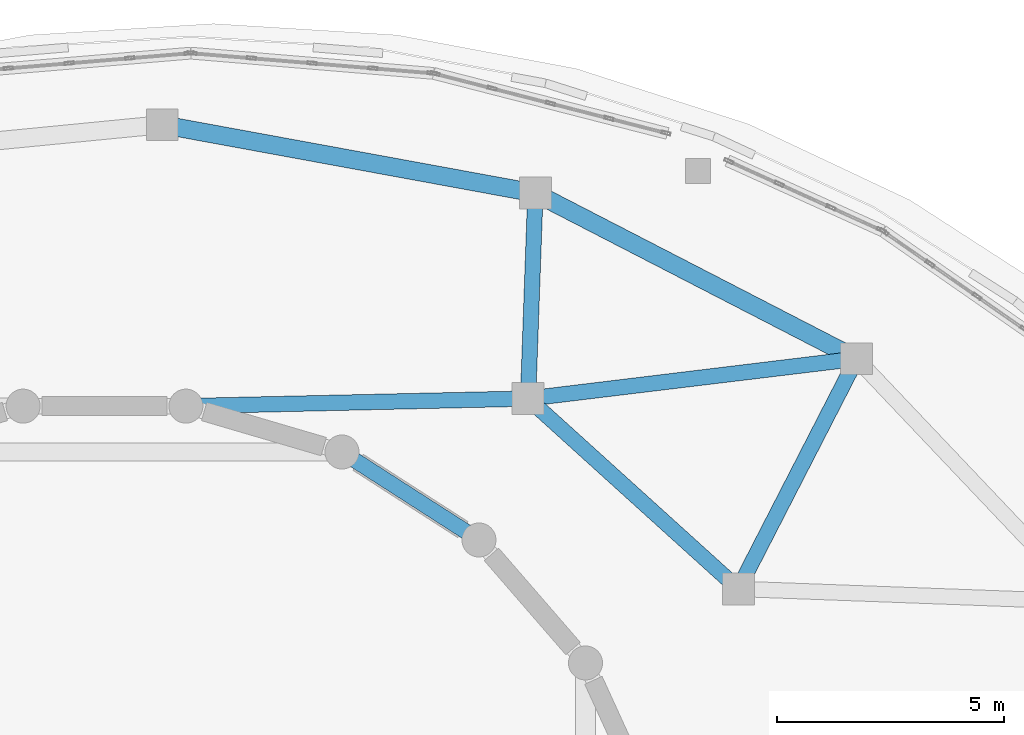
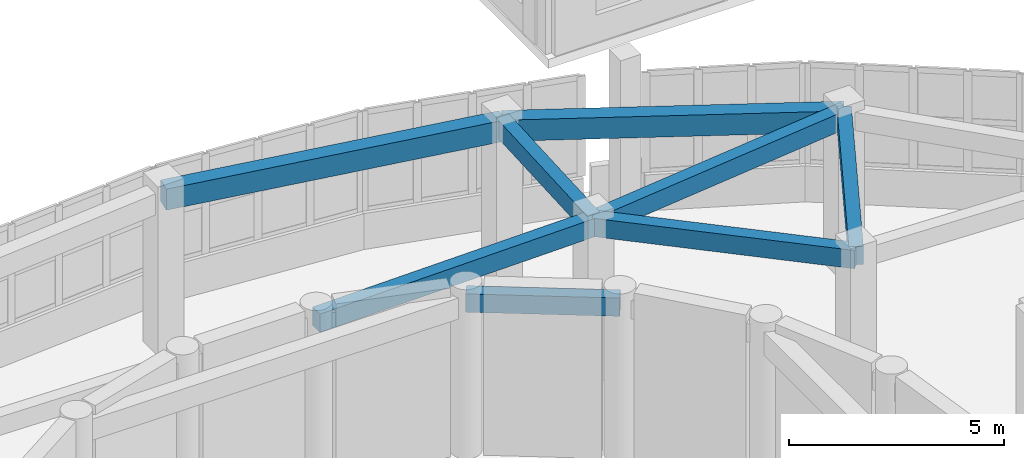
# One storey, part 45 of 98: 8 beams.
"""IFC4 building model written with IfcOpenShell, lengths in metres."""

import ifcopenshell
import ifcopenshell.guid

model = None  # the IFC model being written
_history = None  # IfcOwnerHistory: only IFC2X3 demands one
_inside = {}  # id of a spatial element -> (the spatial element, [elements in it])
_under = {}  # id of a project, library or spatial element -> (it, [spatial elements below it])
_declared = {}  # id of a project -> (the project, [libraries it declares])
_typed = {}  # id of a type object -> (the type object, [elements of that type])
_made_of = {}  # id of a material, layer set ... -> (it, [elements and type objects made of it])


def new_model(schema):
    """Start an empty IFC model of exactly this schema.

    Asked for "IFC4X3", IfcOpenShell would pick the latest addendum, in which some entities
    have other attributes; the version numbers below select the first issue.
    IFC2X3 requires an IfcOwnerHistory on every rooted entity: one is made here for all.
    """
    global model, _history
    if schema == "IFC4X3":
        model = ifcopenshell.file(schema_version=(4, 3, 0, 0))
    else:
        model = ifcopenshell.file(schema=schema)
    _inside.clear()
    _under.clear()
    _declared.clear()
    _typed.clear()
    _made_of.clear()
    _history = None
    if model.schema == "IFC2X3":
        org = make("IfcOrganization", Name="unknown")
        user = make(
            "IfcPersonAndOrganization",
            ThePerson=make("IfcPerson", FamilyName="unknown"),
            TheOrganization=org,
        )
        app = make(
            "IfcApplication",
            ApplicationDeveloper=org,
            Version="unknown",
            ApplicationFullName="unknown",
            ApplicationIdentifier="unknown",
        )
        _history = make(
            "IfcOwnerHistory",
            OwningUser=user,
            OwningApplication=app,
            ChangeAction="ADDED",
            CreationDate=0,
        )
    return model


def make(cls, **values):
    """One entity of the class cls with the attributes given. An attribute that is None is left unset."""
    return model.create_entity(
        cls, **{name: value for name, value in values.items() if value is not None}
    )


def rooted(cls, **values):
    """An entity with a GlobalId (a new one), such as an element, a storey or a relation."""
    return make(cls, GlobalId=ifcopenshell.guid.new(), OwnerHistory=_history, **values)


def si_unit(unit_type, name, prefix=None):
    """IfcSIUnit, for example si_unit("LENGTHUNIT", "METRE", prefix="MILLI")."""
    return make("IfcSIUnit", UnitType=unit_type, Prefix=prefix, Name=name)


def assignment(units):
    """IfcUnitAssignment: the units of a project."""
    return None if units is None else make("IfcUnitAssignment", Units=units)


def point(xyz):
    """IfcCartesianPoint."""
    return None if xyz is None else make("IfcCartesianPoint", Coordinates=xyz)


def direction(xyz):
    """IfcDirection."""
    return None if xyz is None else make("IfcDirection", DirectionRatios=xyz)


def frame(location, z_axis=None, x_axis=None):
    """IfcAxis2Placement3D, a coordinate frame: its origin and axes. An axis left out is left unset."""
    return make(
        "IfcAxis2Placement3D",
        Location=point(location),
        Axis=direction(z_axis),
        RefDirection=direction(x_axis),
    )


def frame_2d(location, x_axis=None):
    """IfcAxis2Placement2D, a coordinate frame in the plane: its origin and x axis."""
    return make(
        "IfcAxis2Placement2D", Location=point(location), RefDirection=direction(x_axis)
    )


def origin():
    """The frame at (0, 0, 0) with its axes left unset."""
    return frame((0.0, 0.0, 0.0))


def origin_2d():
    """The frame at (0, 0) in the plane with its x axis left unset."""
    return frame_2d((0.0, 0.0))


def place(relative_to, where):
    """IfcLocalPlacement: puts the frame where relative to a parent placement (None: the world)."""
    return make(
        "IfcLocalPlacement", PlacementRelTo=relative_to, RelativePlacement=where
    )


def context(
    kind, dimensions, precision=None, world=None, true_north=None, identifier=None
):
    """IfcGeometricRepresentationContext, for example the 3D "Model" context."""
    return make(
        "IfcGeometricRepresentationContext",
        ContextIdentifier=identifier,
        ContextType=kind,
        CoordinateSpaceDimension=dimensions,
        Precision=precision,
        WorldCoordinateSystem=world,
        TrueNorth=true_north,
    )


def subcontext(parent, identifier, kind, view, scale=None):
    """IfcGeometricRepresentationSubContext, for example "Body" below "Model"."""
    return make(
        "IfcGeometricRepresentationSubContext",
        ContextIdentifier=identifier,
        ContextType=kind,
        ParentContext=parent,
        TargetScale=scale,
        TargetView=view,
    )


def project(units=None, contexts=None):
    """IfcProject with its units and contexts."""
    return rooted(
        "IfcProject",
        Name="project",
        RepresentationContexts=contexts,
        UnitsInContext=assignment(units),
    )


def spatial(cls, under=None, at=None, **own):
    """A site, building, storey or space (cls), placed at a placement, below another one or the project."""
    s = rooted(cls, ObjectPlacement=at, **own)
    if under is not None:
        _under.setdefault(under.id(), (under, []))[1].append(s)
    return s


def profile(cls, at=None, kind="AREA", **sizes):
    """A parametric profile (cls). Its sizes go by their IFC names, for example OverallWidth=200.0."""
    return make(cls, ProfileType=kind, Position=at, **sizes)


def rectangle(**sizes):
    """IfcRectangleProfileDef."""
    return profile("IfcRectangleProfileDef", **sizes)


def extrude(swept, where, along, depth):
    """IfcExtrudedAreaSolid: the profile swept, set in the frame where, extruded along a direction by depth."""
    return make(
        "IfcExtrudedAreaSolid",
        SweptArea=swept,
        Position=where,
        ExtrudedDirection=direction(along),
        Depth=depth,
    )


def shape(context_of_items, identifier, shape_type, items):
    """IfcShapeRepresentation: the items that make up one representation, for example the "Body"."""
    return make(
        "IfcShapeRepresentation",
        ContextOfItems=context_of_items,
        RepresentationIdentifier=identifier,
        RepresentationType=shape_type,
        Items=items,
    )


def material(Name=None, Category=None):
    """IfcMaterial."""
    return make("IfcMaterial", Name=Name, Category=Category)


def material_profile(
    of_material, cross_section, Name=None, Category=None, Priority=None
):
    """IfcMaterialProfile: a cross section and its material."""
    return make(
        "IfcMaterialProfile",
        Name=Name,
        Material=of_material,
        Profile=cross_section,
        Priority=Priority,
        Category=Category,
    )


def profile_set(profiles, Name=None, composite=None):
    """IfcMaterialProfileSet."""
    return make(
        "IfcMaterialProfileSet",
        Name=Name,
        MaterialProfiles=profiles,
        CompositeProfile=composite,
    )


def made_of(thing, what):
    """Note that an element or type object is made of a material, layer set ...; save() writes the relation."""
    if what is not None:
        _made_of.setdefault(what.id(), (what, []))[1].append(thing)
    return thing


def type_object(cls, material=None, **own):
    """A type object (cls), such as IfcWallType, which elements share."""
    return made_of(rooted(cls, **own), material)


def element(
    cls,
    number,
    at=None,
    inside=None,
    cuts=None,
    type_object=None,
    material=None,
    context=None,
    identifier="Body",
    shape_type=None,
    held_by="IfcProductDefinitionShape",
    body=None,
    shapes=None,
    **own,
):
    """One element of the class cls, such as IfcWall. Its Tag is "e" and its number.

    at: its placement. inside: the storey or other place that contains it. cuts: it is an
    opening in that element (IfcRelVoidsElement). A single representation is given by context,
    identifier, shape_type and body (its items); several are given by shapes. held_by: the class
    of the entity that holds the representations. save() writes the other relations.
    """
    e = rooted(cls, Tag="e%d" % number, ObjectPlacement=at, **own)
    if body is not None:
        shapes = [shape(context, identifier, shape_type, body)]
    if shapes is not None:
        e.Representation = make(held_by, Representations=shapes)
    if inside is not None:
        _inside.setdefault(inside.id(), (inside, []))[1].append(e)
    if cuts is not None:
        rooted(
            "IfcRelVoidsElement", RelatingBuildingElement=cuts, RelatedOpeningElement=e
        )
    if type_object is not None:
        _typed.setdefault(type_object.id(), (type_object, []))[1].append(e)
    return made_of(e, material)


def aggregate(whole, parts):
    """IfcRelAggregates: a whole, such as a stair, and the parts it consists of."""
    return rooted("IfcRelAggregates", RelatingObject=whole, RelatedObjects=parts)


def save(model, path):
    """Write the relations noted so far, then the file.

    IfcRelAggregates (storeys below a building ...), IfcRelContainedInSpatialStructure (elements
    in a storey), IfcRelDefinesByType, IfcRelAssociatesMaterial and IfcRelDeclares: one each for
    every whole, place, type object, material and project.
    """
    for whole, parts in _under.values():
        aggregate(whole, parts)
    for where, things in _inside.values():
        rooted(
            "IfcRelContainedInSpatialStructure",
            RelatedElements=things,
            RelatingStructure=where,
        )
    for kind, things in _typed.values():
        rooted("IfcRelDefinesByType", RelatedObjects=things, RelatingType=kind)
    for what, things in _made_of.values():
        rooted("IfcRelAssociatesMaterial", RelatedObjects=things, RelatingMaterial=what)
    for by, libraries in _declared.values():
        rooted("IfcRelDeclares", RelatingContext=by, RelatedDefinitions=libraries)
    model.write(path)


model = new_model("IFC4")

# Units and contexts
model_context = context("Model", 3, precision=1e-05, world=origin(), true_north=direction((0.0, 1.0)))
body_context = subcontext(model_context, "Body", "Model", "MODEL_VIEW")
ifc_project = project(units=[si_unit("LENGTHUNIT", "METRE"), si_unit("AREAUNIT", "SQUARE_METRE"), si_unit("VOLUMEUNIT", "CUBIC_METRE"), si_unit("PLANEANGLEUNIT", "RADIAN"), si_unit("MASSUNIT", "GRAM", prefix="KILO")], contexts=[model_context])

# Site, building, storey
site_placement = place(None, origin())
site = spatial("IfcSite", under=ifc_project, at=site_placement, CompositionType="ELEMENT")
building_placement = place(site_placement, origin())
building = spatial("IfcBuilding", under=site, at=building_placement, Name="Pelvatis Terrace Science Centre", CompositionType="ELEMENT")
storey_placement = place(building_placement, frame((0.0, 0.0, 5.39990234375)))
storey = spatial("IfcBuildingStorey", under=building, at=storey_placement, Name="L01", CompositionType="ELEMENT", Elevation=5.39990234375)

# Beams
ifc_material_1 = material(Name="Concrete C35/45", Category="concrete")
ifc_material_profile_1 = material_profile(ifc_material_1, rectangle(XDim=0.340087890625, YDim=0.52001953125, at=origin_2d()), Name="RC-BM 340x520")
ifc_profile_set_1 = profile_set([ifc_material_profile_1], Name="Concrete C35/45")
beam_type_1 = type_object("IfcBeamType", Name="BM-RC-340x520", PredefinedType="BEAM", material=ifc_profile_set_1)
beam_1_placement = place(storey_placement, frame((117.451171875, 95.322509765625, 4.280029296875), z_axis=(-0.841253667692, 0.540640607607, 0.0), x_axis=(-0.540640607607, -0.841253667692, 0.0)))
element("IfcBeam", 1, at=beam_1_placement, inside=storey, type_object=beam_type_1, Name="Beam BM-L01-2542", PredefinedType="BEAM", context=body_context, shape_type="SweptSolid", body=[
    extrude(rectangle(XDim=0.340087890625, YDim=0.52001953125, at=origin_2d()), origin(), (0.0, 0.0, 1.0), 3.58642578125),
])
beam_2_placement = place(storey_placement, frame((110.9931640625, 98.271728515625, 4.280029296875), z_axis=(0.999756299377, 0.022075820636, 0.0), x_axis=(-0.022075820636, 0.999756299377, 0.0)))
element("IfcBeam", 2, at=beam_2_placement, inside=storey, type_object=beam_type_1, Name="Beam BM-L01-2546", PredefinedType="BEAM", context=body_context, shape_type="SweptSolid", body=[
    extrude(rectangle(XDim=0.340087890625, YDim=0.52001953125, at=origin_2d()), origin(), (0.0, 0.0, 1.0), 7.54248046875),
])
beam_3_placement = place(storey_placement, frame((125.772705078125, 99.315185546875, 4.280029296875), z_axis=(-0.456833081813, -0.88955243542, 0.0), x_axis=(0.88955243542, -0.456833081813, 0.0)))
element("IfcBeam", 3, at=beam_3_placement, inside=storey, type_object=beam_type_1, Name="Beam BM-L01-2626", PredefinedType="BEAM", context=body_context, shape_type="SweptSolid", body=[
    extrude(rectangle(XDim=0.340087890625, YDim=0.52001953125, at=origin_2d()), origin(), (0.0, 0.0, 1.0), 5.7001953125),
])
beam_4_placement = place(storey_placement, frame((125.772705078125, 99.315185546875, 4.280029296875), z_axis=(-0.992742021156, -0.120263375265, 0.0), x_axis=(0.120263375265, -0.992742021156, 0.0)))
element("IfcBeam", 4, at=beam_4_placement, inside=storey, type_object=beam_type_1, Name="Beam BM-L01-2627", PredefinedType="BEAM", context=body_context, shape_type="SweptSolid", body=[
    extrude(rectangle(XDim=0.340087890625, YDim=0.52001953125, at=origin_2d()), origin(), (0.0, 0.0, 1.0), 7.2919921875),
])
beam_5_placement = place(storey_placement, frame((118.69482421875, 102.9658203125, 4.280029296875), z_axis=(-0.035566590656, -0.999367308665, 0.0), x_axis=(0.999367308665, -0.035566590656, 0.0)))
element("IfcBeam", 5, at=beam_5_placement, inside=storey, type_object=beam_type_1, Name="Beam BM-L01-2629", PredefinedType="BEAM", context=body_context, shape_type="SweptSolid", body=[
    extrude(rectangle(XDim=0.340087890625, YDim=0.52001953125, at=origin_2d()), origin(), (0.0, 0.0, 1.0), 4.530517578125),
])
beam_6_placement = place(storey_placement, frame((123.168701171875, 94.24462890625, 4.280029296875), z_axis=(-0.741533928448, 0.670915369447, 0.0), x_axis=(-0.670915369447, -0.741533928448, 0.0)))
element("IfcBeam", 6, at=beam_6_placement, inside=storey, type_object=beam_type_1, Name="Beam BM-L01-2651", PredefinedType="BEAM", context=body_context, shape_type="SweptSolid", body=[
    extrude(rectangle(XDim=0.340087890625, YDim=0.52001953125, at=origin_2d()), origin(), (0.0, 0.0, 1.0), 6.25048828125),
])
ifc_material_2 = material(Name="Concrete C35/45", Category="concrete")
ifc_material_profile_2 = material_profile(ifc_material_2, rectangle(XDim=0.39990234375, YDim=0.60009765625, at=origin_2d()), Name="RC-BM 400x600")
ifc_profile_set_2 = profile_set([ifc_material_profile_2], Name="Concrete C35/45")
beam_type_2 = type_object("IfcBeamType", Name="BM-RC-400x600", PredefinedType="BEAM", material=ifc_profile_set_2)
beam_7_placement = place(storey_placement, frame((125.772705078125, 99.315185546875, 4.239990234375), z_axis=(-0.888746773827, 0.458398486049, 0.0), x_axis=(-0.458398486049, -0.888746773827, 0.0)))
element("IfcBeam", 7, at=beam_7_placement, inside=storey, type_object=beam_type_2, Name="Beam BM-L01-2625", PredefinedType="BEAM", context=body_context, shape_type="SweptSolid", body=[
    extrude(rectangle(XDim=0.39990234375, YDim=0.60009765625, at=origin_2d()), origin(), (0.0, 0.0, 1.0), 7.9638671875),
])
beam_8_placement = place(storey_placement, frame((118.69482421875, 102.9658203125, 4.239990234375), z_axis=(-0.983601549943, 0.180355179991, 0.0), x_axis=(-0.180355179991, -0.983601549943, 0.0)))
element("IfcBeam", 8, at=beam_8_placement, inside=storey, type_object=beam_type_2, Name="Beam BM-L01-2628", PredefinedType="BEAM", context=body_context, shape_type="SweptSolid", body=[
    extrude(rectangle(XDim=0.39990234375, YDim=0.60009765625, at=origin_2d()), origin(), (0.0, 0.0, 1.0), 8.3603515625),
])

save(model, "model.ifc")
